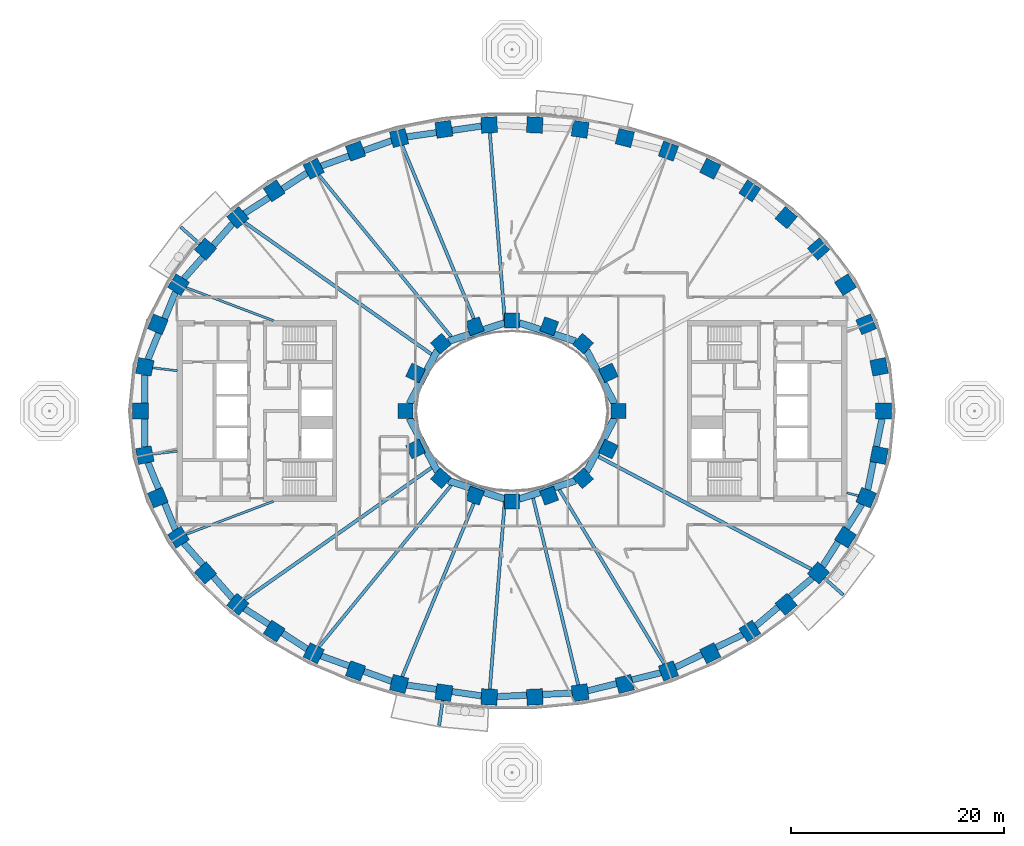
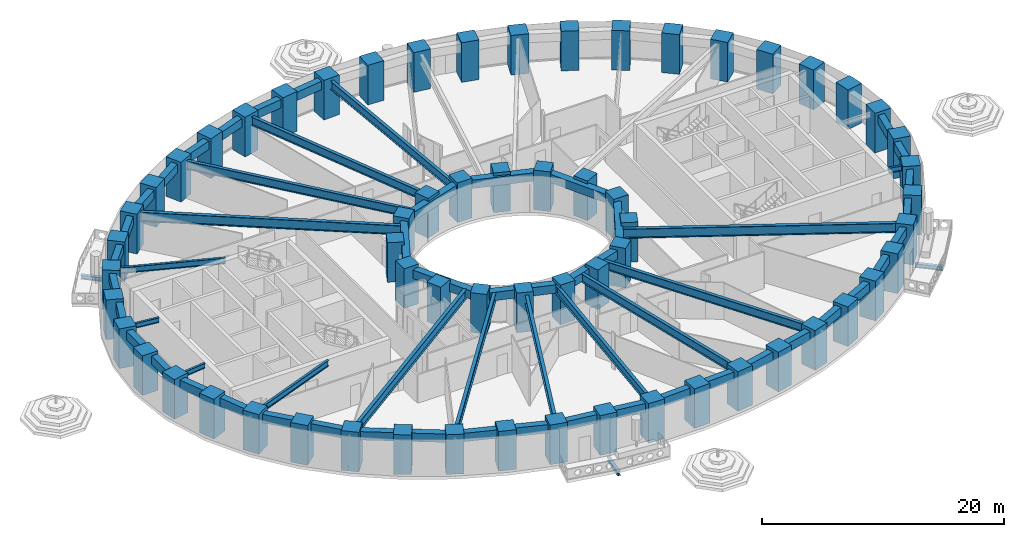
# One storey, part 1 of 20: 62 columns, 44 beams.
"""IFC4 building model written with IfcOpenShell, lengths in metres."""

import ifcopenshell
import ifcopenshell.guid

model = None  # the IFC model being written
_history = None  # IfcOwnerHistory: only IFC2X3 demands one
_inside = {}  # id of a spatial element -> (the spatial element, [elements in it])
_under = {}  # id of a project, library or spatial element -> (it, [spatial elements below it])
_declared = {}  # id of a project -> (the project, [libraries it declares])
_typed = {}  # id of a type object -> (the type object, [elements of that type])
_made_of = {}  # id of a material, layer set ... -> (it, [elements and type objects made of it])


def new_model(schema):
    """Start an empty IFC model of exactly this schema.

    Asked for "IFC4X3", IfcOpenShell would pick the latest addendum, in which some entities
    have other attributes; the version numbers below select the first issue.
    IFC2X3 requires an IfcOwnerHistory on every rooted entity: one is made here for all.
    """
    global model, _history
    if schema == "IFC4X3":
        model = ifcopenshell.file(schema_version=(4, 3, 0, 0))
    else:
        model = ifcopenshell.file(schema=schema)
    _inside.clear()
    _under.clear()
    _declared.clear()
    _typed.clear()
    _made_of.clear()
    _history = None
    if model.schema == "IFC2X3":
        org = make("IfcOrganization", Name="unknown")
        user = make(
            "IfcPersonAndOrganization",
            ThePerson=make("IfcPerson", FamilyName="unknown"),
            TheOrganization=org,
        )
        app = make(
            "IfcApplication",
            ApplicationDeveloper=org,
            Version="unknown",
            ApplicationFullName="unknown",
            ApplicationIdentifier="unknown",
        )
        _history = make(
            "IfcOwnerHistory",
            OwningUser=user,
            OwningApplication=app,
            ChangeAction="ADDED",
            CreationDate=0,
        )
    return model


def make(cls, **values):
    """One entity of the class cls with the attributes given. An attribute that is None is left unset."""
    return model.create_entity(
        cls, **{name: value for name, value in values.items() if value is not None}
    )


def rooted(cls, **values):
    """An entity with a GlobalId (a new one), such as an element, a storey or a relation."""
    return make(cls, GlobalId=ifcopenshell.guid.new(), OwnerHistory=_history, **values)


def si_unit(unit_type, name, prefix=None):
    """IfcSIUnit, for example si_unit("LENGTHUNIT", "METRE", prefix="MILLI")."""
    return make("IfcSIUnit", UnitType=unit_type, Prefix=prefix, Name=name)


def assignment(units):
    """IfcUnitAssignment: the units of a project."""
    return None if units is None else make("IfcUnitAssignment", Units=units)


def point(xyz):
    """IfcCartesianPoint."""
    return None if xyz is None else make("IfcCartesianPoint", Coordinates=xyz)


def direction(xyz):
    """IfcDirection."""
    return None if xyz is None else make("IfcDirection", DirectionRatios=xyz)


def frame(location, z_axis=None, x_axis=None):
    """IfcAxis2Placement3D, a coordinate frame: its origin and axes. An axis left out is left unset."""
    return make(
        "IfcAxis2Placement3D",
        Location=point(location),
        Axis=direction(z_axis),
        RefDirection=direction(x_axis),
    )


def frame_2d(location, x_axis=None):
    """IfcAxis2Placement2D, a coordinate frame in the plane: its origin and x axis."""
    return make(
        "IfcAxis2Placement2D", Location=point(location), RefDirection=direction(x_axis)
    )


def origin():
    """The frame at (0, 0, 0) with its axes left unset."""
    return frame((0.0, 0.0, 0.0))


def origin_2d():
    """The frame at (0, 0) in the plane with its x axis left unset."""
    return frame_2d((0.0, 0.0))


def place(relative_to, where):
    """IfcLocalPlacement: puts the frame where relative to a parent placement (None: the world)."""
    return make(
        "IfcLocalPlacement", PlacementRelTo=relative_to, RelativePlacement=where
    )


def context(
    kind, dimensions, precision=None, world=None, true_north=None, identifier=None
):
    """IfcGeometricRepresentationContext, for example the 3D "Model" context."""
    return make(
        "IfcGeometricRepresentationContext",
        ContextIdentifier=identifier,
        ContextType=kind,
        CoordinateSpaceDimension=dimensions,
        Precision=precision,
        WorldCoordinateSystem=world,
        TrueNorth=true_north,
    )


def subcontext(parent, identifier, kind, view, scale=None):
    """IfcGeometricRepresentationSubContext, for example "Body" below "Model"."""
    return make(
        "IfcGeometricRepresentationSubContext",
        ContextIdentifier=identifier,
        ContextType=kind,
        ParentContext=parent,
        TargetScale=scale,
        TargetView=view,
    )


def project(units=None, contexts=None):
    """IfcProject with its units and contexts."""
    return rooted(
        "IfcProject",
        Name="project",
        RepresentationContexts=contexts,
        UnitsInContext=assignment(units),
    )


def spatial(cls, under=None, at=None, **own):
    """A site, building, storey or space (cls), placed at a placement, below another one or the project."""
    s = rooted(cls, ObjectPlacement=at, **own)
    if under is not None:
        _under.setdefault(under.id(), (under, []))[1].append(s)
    return s


def profile(cls, at=None, kind="AREA", **sizes):
    """A parametric profile (cls). Its sizes go by their IFC names, for example OverallWidth=200.0."""
    return make(cls, ProfileType=kind, Position=at, **sizes)


def rectangle(**sizes):
    """IfcRectangleProfileDef."""
    return profile("IfcRectangleProfileDef", **sizes)


def i_section(**sizes):
    """IfcIShapeProfileDef."""
    return profile("IfcIShapeProfileDef", **sizes)


def extrude(swept, where, along, depth):
    """IfcExtrudedAreaSolid: the profile swept, set in the frame where, extruded along a direction by depth."""
    return make(
        "IfcExtrudedAreaSolid",
        SweptArea=swept,
        Position=where,
        ExtrudedDirection=direction(along),
        Depth=depth,
    )


def shape(context_of_items, identifier, shape_type, items):
    """IfcShapeRepresentation: the items that make up one representation, for example the "Body"."""
    return make(
        "IfcShapeRepresentation",
        ContextOfItems=context_of_items,
        RepresentationIdentifier=identifier,
        RepresentationType=shape_type,
        Items=items,
    )


def material(Name=None, Category=None):
    """IfcMaterial."""
    return make("IfcMaterial", Name=Name, Category=Category)


def material_profile(
    of_material, cross_section, Name=None, Category=None, Priority=None
):
    """IfcMaterialProfile: a cross section and its material."""
    return make(
        "IfcMaterialProfile",
        Name=Name,
        Material=of_material,
        Profile=cross_section,
        Priority=Priority,
        Category=Category,
    )


def profile_set(profiles, Name=None, composite=None):
    """IfcMaterialProfileSet."""
    return make(
        "IfcMaterialProfileSet",
        Name=Name,
        MaterialProfiles=profiles,
        CompositeProfile=composite,
    )


def made_of(thing, what):
    """Note that an element or type object is made of a material, layer set ...; save() writes the relation."""
    if what is not None:
        _made_of.setdefault(what.id(), (what, []))[1].append(thing)
    return thing


def type_object(cls, material=None, **own):
    """A type object (cls), such as IfcWallType, which elements share."""
    return made_of(rooted(cls, **own), material)


def element(
    cls,
    number,
    at=None,
    inside=None,
    cuts=None,
    type_object=None,
    material=None,
    context=None,
    identifier="Body",
    shape_type=None,
    held_by="IfcProductDefinitionShape",
    body=None,
    shapes=None,
    **own,
):
    """One element of the class cls, such as IfcWall. Its Tag is "e" and its number.

    at: its placement. inside: the storey or other place that contains it. cuts: it is an
    opening in that element (IfcRelVoidsElement). A single representation is given by context,
    identifier, shape_type and body (its items); several are given by shapes. held_by: the class
    of the entity that holds the representations. save() writes the other relations.
    """
    e = rooted(cls, Tag="e%d" % number, ObjectPlacement=at, **own)
    if body is not None:
        shapes = [shape(context, identifier, shape_type, body)]
    if shapes is not None:
        e.Representation = make(held_by, Representations=shapes)
    if inside is not None:
        _inside.setdefault(inside.id(), (inside, []))[1].append(e)
    if cuts is not None:
        rooted(
            "IfcRelVoidsElement", RelatingBuildingElement=cuts, RelatedOpeningElement=e
        )
    if type_object is not None:
        _typed.setdefault(type_object.id(), (type_object, []))[1].append(e)
    return made_of(e, material)


def aggregate(whole, parts):
    """IfcRelAggregates: a whole, such as a stair, and the parts it consists of."""
    return rooted("IfcRelAggregates", RelatingObject=whole, RelatedObjects=parts)


def save(model, path):
    """Write the relations noted so far, then the file.

    IfcRelAggregates (storeys below a building ...), IfcRelContainedInSpatialStructure (elements
    in a storey), IfcRelDefinesByType, IfcRelAssociatesMaterial and IfcRelDeclares: one each for
    every whole, place, type object, material and project.
    """
    for whole, parts in _under.values():
        aggregate(whole, parts)
    for where, things in _inside.values():
        rooted(
            "IfcRelContainedInSpatialStructure",
            RelatedElements=things,
            RelatingStructure=where,
        )
    for kind, things in _typed.values():
        rooted("IfcRelDefinesByType", RelatedObjects=things, RelatingType=kind)
    for what, things in _made_of.values():
        rooted("IfcRelAssociatesMaterial", RelatedObjects=things, RelatingMaterial=what)
    for by, libraries in _declared.values():
        rooted("IfcRelDeclares", RelatingContext=by, RelatedDefinitions=libraries)
    model.write(path)


model = new_model("IFC4")

# Units and contexts
model_context = context("Model", 3, precision=1e-05, world=origin(), true_north=direction((0.0, 1.0)))
body_context = subcontext(model_context, "Body", "Model", "MODEL_VIEW")
ifc_project = project(units=[si_unit("LENGTHUNIT", "METRE"), si_unit("AREAUNIT", "SQUARE_METRE"), si_unit("VOLUMEUNIT", "CUBIC_METRE"), si_unit("PLANEANGLEUNIT", "RADIAN"), si_unit("MASSUNIT", "GRAM", prefix="KILO")], contexts=[model_context])

# Site, building, storey
site_placement = place(None, origin())
site = spatial("IfcSite", under=ifc_project, at=site_placement, CompositionType="ELEMENT")
building_placement = place(site_placement, origin())
building = spatial("IfcBuilding", under=site, at=building_placement, Name="Noorbagh Ring Tower", CompositionType="ELEMENT")
storey_placement = place(building_placement, frame((0.0, 0.0, 34.5)))
storey = spatial("IfcBuildingStorey", under=building, at=storey_placement, Name="L06", CompositionType="ELEMENT", Elevation=34.5)

# Columns
ifc_material_1 = material(Name="Concrete C70/85", Category="concrete")
ifc_material_profile_1 = material_profile(ifc_material_1, rectangle(XDim=1.5, YDim=1.5, at=origin_2d()), Name="RC1500x1500")
ifc_profile_set_1 = profile_set([ifc_material_profile_1], Name="Concrete C70/85")
column_type_1 = type_object("IfcColumnType", Name="STR-COL-RC1500x1500-C70-85", PredefinedType="COLUMN", material=ifc_profile_set_1)
for number, where, z_axis, x_axis, name in (
    (1, (34.944580078125, 0.0, 0.0), (0.0, 0.0, 1.0), (0.0, 1.0, 0.0), "L06/col/R1-01"),
    (2, (34.52685546875, 4.150634765625, 0.0), (0.0, 0.0, 1.0), (-0.19723040178, 0.9803571638, 0.0), "L06/col/R1-02"),
    (3, (33.30517578125, 8.1494140625, 0.0), (0.0, 0.0, 1.0), (-0.378989499959, 0.925400971969, 0.0), "L06/col/R1-03"),
    (4, (31.364990234375, 11.87109375, 0.0), (0.0, 0.0, 1.0), (-0.535190403059, 0.844731455833, 0.0), "L06/col/R1-04"),
    (5, (28.81884765625, 15.23046875, 0.0), (0.0, 0.0, 1.0), (-0.662635642662, 0.748941923699, 0.0), "L06/col/R1-05"),
    (6, (25.78271484375, 18.180419921875, 0.0), (0.0, 0.0, 1.0), (-0.763035199656, 0.646356932419, 0.0), "L06/col/R1-06"),
    (7, (22.362060546875, 20.699951171875, 0.0), (0.0, 0.0, 1.0), (-0.840247639643, 0.542202825586, 0.0), "L06/col/R1-07"),
    (8, (18.646240234375, 22.785400390625, 0.0), (0.0, 0.0, 1.0), (-0.898399080868, 0.439180021741, 0.0), "L06/col/R1-08"),
    (9, (14.70947265625, 24.44091796875, 0.0), (0.0, 0.0, 1.0), (-0.941024726094, 0.338337797003, 0.0), "L06/col/R1-09"),
    (10, (10.61328125, 25.673583984375, 0.0), (0.0, 0.0, 1.0), (-0.970829360981, 0.239771457553, 0.0), "L06/col/R1-10"),
    (11, (6.4091796875, 26.49072265625, 0.0), (0.0, 0.0, 1.0), (-0.989713114048, 0.143066249975, 0.0), "L06/col/R1-11"),
    (12, (2.14306640625, 26.89794921875, 0.0), (0.0, 0.0, 1.0), (-0.998868731212, 0.047552684538, 0.0), "L06/col/R1-12"),
    (13, (-2.14306640625, 26.89794921875, 0.0), (0.0, 0.0, 1.0), (-0.998868731212, -0.047552684538, 0.0), "L06/col/R1-13"),
    (14, (-6.4091796875, 26.49072265625, 0.0), (0.0, 0.0, 1.0), (-0.989713114048, -0.143066249975, 0.0), "L06/col/R1-14"),
    (15, (-10.61328125, 25.673583984375, 0.0), (0.0, 0.0, 1.0), (-0.970829360981, -0.239771457553, 0.0), "L06/col/R1-15"),
    (16, (-14.70947265625, 24.44091796875, 0.0), (0.0, 0.0, 1.0), (-0.941024726094, -0.338337797003, 0.0), "L06/col/R1-16"),
    (17, (-18.646240234375, 22.785400390625, 0.0), (0.0, 0.0, 1.0), (-0.898399080868, -0.439180021741, 0.0), "L06/col/R1-17"),
    (18, (-22.362060546875, 20.699951171875, 0.0), (0.0, 0.0, 1.0), (-0.840247639643, -0.542202825586, 0.0), "L06/col/R1-18"),
    (19, (-25.78271484375, 18.180419921875, 0.0), (0.0, 0.0, 1.0), (-0.763035199656, -0.646356932419, 0.0), "L06/col/R1-19"),
    (20, (-28.81884765625, 15.23046875, 0.0), (0.0, 0.0, 1.0), (-0.662635642662, -0.748941923699, 0.0), "L06/col/R1-20"),
    (21, (-31.364990234375, 11.87109375, 0.0), (0.0, 0.0, 1.0), (-0.535190403059, -0.844731455833, 0.0), "L06/col/R1-21"),
    (22, (-33.30517578125, 8.1494140625, 0.0), (0.0, 0.0, 1.0), (-0.378989499959, -0.925400971969, 0.0), "L06/col/R1-22"),
    (23, (-34.52685546875, 4.150634765625, 0.0), (0.0, 0.0, 1.0), (-0.19723040178, -0.9803571638, 0.0), "L06/col/R1-23"),
    (24, (-34.944580078125, 0.0, 0.0), (0.0, 0.0, 1.0), (0.0, -1.0, 0.0), "L06/col/R1-24"),
    (25, (-34.52685546875, -4.150634765625, 0.0), (0.0, 0.0, 1.0), (0.19723040178, -0.9803571638, 0.0), "L06/col/R1-25"),
    (26, (-33.30517578125, -8.1494140625, 0.0), (0.0, 0.0, 1.0), (0.378989499959, -0.925400971969, 0.0), "L06/col/R1-26"),
    (27, (-31.364990234375, -11.87109375, 0.0), (0.0, 0.0, 1.0), (0.535190403059, -0.844731455833, 0.0), "L06/col/R1-27"),
    (28, (-28.81884765625, -15.23046875, 0.0), (0.0, 0.0, 1.0), (0.662635642662, -0.748941923699, 0.0), "L06/col/R1-28"),
    (29, (-25.78271484375, -18.180419921875, 0.0), (0.0, 0.0, 1.0), (0.763035199656, -0.646356932419, 0.0), "L06/col/R1-29"),
    (30, (-22.362060546875, -20.699951171875, 0.0), (0.0, 0.0, 1.0), (0.840247639643, -0.542202825586, 0.0), "L06/col/R1-30"),
    (31, (-18.646240234375, -22.785400390625, 0.0), (0.0, 0.0, 1.0), (0.898399080868, -0.439180021741, 0.0), "L06/col/R1-31"),
    (32, (-14.70947265625, -24.44091796875, 0.0), (0.0, 0.0, 1.0), (0.941024726094, -0.338337797003, 0.0), "L06/col/R1-32"),
    (33, (-10.61328125, -25.673583984375, 0.0), (0.0, 0.0, 1.0), (0.970829360981, -0.239771457553, 0.0), "L06/col/R1-33"),
    (34, (-6.4091796875, -26.49072265625, 0.0), (0.0, 0.0, 1.0), (0.989713114048, -0.143066249975, 0.0), "L06/col/R1-34"),
    (35, (-2.14306640625, -26.89794921875, 0.0), (0.0, 0.0, 1.0), (0.998868731212, -0.047552684538, 0.0), "L06/col/R1-35"),
    (36, (2.14306640625, -26.89794921875, 0.0), (0.0, 0.0, 1.0), (0.998868731212, 0.047552684538, 0.0), "L06/col/R1-36"),
    (37, (6.4091796875, -26.49072265625, 0.0), (0.0, 0.0, 1.0), (0.989713114048, 0.143066249975, 0.0), "L06/col/R1-37"),
    (38, (10.61328125, -25.673583984375, 0.0), (0.0, 0.0, 1.0), (0.970829360981, 0.239771457553, 0.0), "L06/col/R1-38"),
    (39, (14.70947265625, -24.44091796875, 0.0), (0.0, 0.0, 1.0), (0.941024726094, 0.338337797003, 0.0), "L06/col/R1-39"),
    (40, (18.646240234375, -22.785400390625, 0.0), (0.0, 0.0, 1.0), (0.898399080868, 0.439180021741, 0.0), "L06/col/R1-40"),
    (41, (22.362060546875, -20.699951171875, 0.0), (0.0, 0.0, 1.0), (0.840247639643, 0.542202825586, 0.0), "L06/col/R1-41"),
    (42, (25.78271484375, -18.180419921875, 0.0), (0.0, 0.0, 1.0), (0.763035199656, 0.646356932419, 0.0), "L06/col/R1-42"),
    (43, (28.81884765625, -15.23046875, 0.0), (0.0, 0.0, 1.0), (0.662635642662, 0.748941923699, 0.0), "L06/col/R1-43"),
    (44, (31.364990234375, -11.87109375, 0.0), (0.0, 0.0, 1.0), (0.535190403059, 0.844731455833, 0.0), "L06/col/R1-44"),
    (45, (33.30517578125, -8.1494140625, 0.0), (0.0, 0.0, 1.0), (0.378989499959, 0.925400971969, 0.0), "L06/col/R1-45"),
    (46, (34.52685546875, -4.150634765625, 0.0), (0.0, 0.0, 1.0), (0.19723040178, 0.9803571638, 0.0), "L06/col/R1-46"),
):
    element("IfcColumn", number, at=place(storey_placement, frame(where, z_axis=z_axis, x_axis=x_axis)), inside=storey, type_object=column_type_1, Name=name, PredefinedType="COLUMN", context=body_context, shape_type="SweptSolid", body=[
        extrude(rectangle(XDim=1.5, YDim=1.5, at=origin_2d()), origin(), (0.0, 0.0, 1.0), 4.0),
    ])
ifc_material_2 = material(Name="Concrete C70/85", Category="concrete")
ifc_material_profile_2 = material_profile(ifc_material_2, rectangle(XDim=1.39990234375, YDim=1.39990234375, at=origin_2d()), Name="RC1400x1400")
ifc_profile_set_2 = profile_set([ifc_material_profile_2], Name="Concrete C70/85")
column_type_2 = type_object("IfcColumnType", Name="STR-ICOL-RC1400x1400-C70-85", PredefinedType="COLUMN", material=ifc_profile_set_2)
for number, where, z_axis, x_axis, name in (
    (47, (10.00830078125, 0.0, 0.0), (0.0, 0.0, 1.0), (0.0, 1.0, 0.0), "L06/col/IR2-W01"),
    (48, (9.07568359375, 3.58837890625, 0.0), (0.0, 0.0, 1.0), (-0.428666979171, 0.903462573087, 0.0), "L06/col/IR2-W03"),
    (49, (6.68212890625, 6.333740234375, 0.0), (0.0, 0.0, 1.0), (-0.75102249095, 0.660276622399, 0.0), "L06/col/IR2-W05"),
    (50, (3.5009765625, 7.967041015625, 0.0), (0.0, 0.0, 1.0), (-0.939019578916, 0.343863679984, 0.0), "L06/col/IR2-W07"),
    (51, (0.0, 8.5029296875, 0.0), (0.0, 0.0, 1.0), (-1.0, 0.0, 0.0), "L06/col/IR2-W09"),
    (52, (-3.5009765625, 7.967041015625, 0.0), (0.0, 0.0, 1.0), (-0.939019578916, -0.343863679984, 0.0), "L06/col/IR2-W11"),
    (53, (-6.68212890625, 6.333740234375, 0.0), (0.0, 0.0, 1.0), (-0.75102249095, -0.660276622399, 0.0), "L06/col/IR2-W13"),
    (54, (-9.07568359375, 3.58837890625, 0.0), (0.0, 0.0, 1.0), (-0.428666979171, -0.903462573087, 0.0), "L06/col/IR2-W15"),
    (55, (-10.00830078125, 0.0, 0.0), (0.0, 0.0, 1.0), (0.0, -1.0, 0.0), "L06/col/IR2-W17"),
    (56, (-9.07568359375, -3.58837890625, 0.0), (0.0, 0.0, 1.0), (0.428666979171, -0.903462573087, 0.0), "L06/col/IR2-W19"),
    (57, (-6.68212890625, -6.333740234375, 0.0), (0.0, 0.0, 1.0), (0.75102249095, -0.660276622399, 0.0), "L06/col/IR2-W21"),
    (58, (-3.5009765625, -7.967041015625, 0.0), (0.0, 0.0, 1.0), (0.939019578916, -0.343863679984, 0.0), "L06/col/IR2-W23"),
    (59, (0.0, -8.5029296875, 0.0), (0.0, 0.0, 1.0), (1.0, 0.0, 0.0), "L06/col/IR2-W25"),
    (60, (3.5009765625, -7.967041015625, 0.0), (0.0, 0.0, 1.0), (0.939019578916, 0.343863679984, 0.0), "L06/col/IR2-W27"),
    (61, (6.68212890625, -6.333740234375, 0.0), (0.0, 0.0, 1.0), (0.75102249095, 0.660276622399, 0.0), "L06/col/IR2-W29"),
    (62, (9.07568359375, -3.58837890625, 0.0), (0.0, 0.0, 1.0), (0.428666979171, 0.903462573087, 0.0), "L06/col/IR2-W31"),
):
    element("IfcColumn", number, at=place(storey_placement, frame(where, z_axis=z_axis, x_axis=x_axis)), inside=storey, type_object=column_type_2, Name=name, PredefinedType="COLUMN", context=body_context, shape_type="SweptSolid", body=[
        extrude(rectangle(XDim=1.39990234375, YDim=1.39990234375, at=origin_2d()), origin(), (0.0, 0.0, 1.0), 4.0),
    ])

# Beams
ifc_material_3 = material(Name="Steel S355", Category="steel")
ifc_material_profile_3 = material_profile(ifc_material_3, i_section(OverallWidth=0.300048828125, OverallDepth=0.39990234375, WebThickness=0.013427734375, FlangeThickness=0.02392578125, FilletRadius=0.027099609375, at=origin_2d()), Name="HEB400")
ifc_profile_set_3 = profile_set([ifc_material_profile_3], Name="Steel S355")
beam_type_1 = type_object("IfcBeamType", Name="STR-BALCONY-BRACKET-HEB400", PredefinedType="BEAM", material=ifc_profile_set_3)
beam_1_placement = place(storey_placement, frame((-29.36572265625, 15.714111328125, -0.5), z_axis=(-0.749031813993, 0.662534030542, 0.0), x_axis=(-0.662534030542, -0.749031813993, 0.0)))
element("IfcBeam", 63, at=beam_1_placement, inside=storey, type_object=beam_type_1, Name="Balcony bracket beam BN06", PredefinedType="BEAM", context=body_context, shape_type="SweptSolid", body=[
    extrude(i_section(OverallWidth=0.300048828125, OverallDepth=0.39990234375, WebThickness=0.013427734375, FlangeThickness=0.02392578125, FilletRadius=0.027099609375, at=origin_2d()), origin(), (0.0, 0.0, 1.0), 2.37939453125),
])
beam_2_placement = place(storey_placement, frame((-6.513671875, -27.21337890625, -0.5), z_axis=(-0.143062628068, -0.989713637599, 0.0), x_axis=(0.989713637599, -0.143062628068, 0.0)))
element("IfcBeam", 64, at=beam_2_placement, inside=storey, type_object=beam_type_1, Name="Balcony bracket beam BS03", PredefinedType="BEAM", context=body_context, shape_type="SweptSolid", body=[
    extrude(i_section(OverallWidth=0.300048828125, OverallDepth=0.39990234375, WebThickness=0.013427734375, FlangeThickness=0.02392578125, FilletRadius=0.027099609375, at=origin_2d()), origin(), (0.0, 0.0, 1.0), 2.373779296875),
])
beam_3_placement = place(storey_placement, frame((29.36572265625, -15.714111328125, -0.5), z_axis=(0.749031813993, -0.662534030542, 0.0), x_axis=(0.662534030542, 0.749031813993, 0.0)))
element("IfcBeam", 65, at=beam_3_placement, inside=storey, type_object=beam_type_1, Name="Balcony bracket beam BS06", PredefinedType="BEAM", context=body_context, shape_type="SweptSolid", body=[
    extrude(i_section(OverallWidth=0.300048828125, OverallDepth=0.39990234375, WebThickness=0.013427734375, FlangeThickness=0.02392578125, FilletRadius=0.027099609375, at=origin_2d()), origin(), (0.0, 0.0, 1.0), 2.37939453125),
])
ifc_material_4 = material(Name="Steel S355", Category="steel")
ifc_material_profile_4 = material_profile(ifc_material_4, i_section(OverallWidth=0.199951171875, OverallDepth=0.5, WebThickness=0.01025390625, FlangeThickness=0.01611328125, FilletRadius=0.02099609375, at=origin_2d()), Name="IPE500")
ifc_profile_set_4 = profile_set([ifc_material_profile_4], Name="Steel S355")
beam_type_2 = type_object("IfcBeamType", Name="STR-RAD-IPE500", PredefinedType="BEAM", material=ifc_profile_set_4)
for number, where, z_axis, x_axis, name in (
    (66, (-33.799560546875, 4.063232421875, 3.449951171875), (0.992852090588, -0.119351272363, 0.0), (0.119351272363, 0.992852090588, 0.0), "L06/bm/RD23"),
    (67, (-33.799560546875, -4.063232421875, 3.449951171875), (0.992852090588, 0.119351272363, 0.0), (-0.119351272363, 0.992852090588, 0.0), "L06/bm/RD25"),
):
    element("IfcBeam", number, at=place(storey_placement, frame(where, z_axis=z_axis, x_axis=x_axis)), inside=storey, type_object=beam_type_2, Name=name, PredefinedType="BEAM", context=body_context, shape_type="SweptSolid", body=[
        extrude(i_section(OverallWidth=0.199951171875, OverallDepth=0.5, WebThickness=0.01025390625, FlangeThickness=0.01611328125, FilletRadius=0.02099609375, at=origin_2d()), origin(), (0.0, 0.0, 1.0), 2.3359375),
    ])
beam_4_placement = place(storey_placement, frame((32.587890625, -7.973876953125, 3.449951171875), z_axis=(-0.971339703518, 0.237695562369, 0.0), x_axis=(-0.237695562369, -0.971339703518, 0.0)))
element("IfcBeam", 68, at=beam_4_placement, inside=storey, type_object=beam_type_2, Name="L06/bm/RD45", PredefinedType="BEAM", context=body_context, shape_type="SweptSolid", body=[
    extrude(i_section(OverallWidth=0.199951171875, OverallDepth=0.5, WebThickness=0.01025390625, FlangeThickness=0.01611328125, FilletRadius=0.02099609375, at=origin_2d()), origin(), (0.0, 0.0, 1.0), 1.14013671875),
])
ifc_material_5 = material(Name="Steel S355", Category="steel")
ifc_material_profile_5 = material_profile(ifc_material_5, i_section(OverallWidth=0.219970703125, OverallDepth=0.60009765625, WebThickness=0.011962890625, FlangeThickness=0.01904296875, FilletRadius=0.02392578125, at=origin_2d()), Name="IPE600")
ifc_profile_set_5 = profile_set([ifc_material_profile_5], Name="Steel S355")
beam_type_3 = type_object("IfcBeamType", Name="STR-RAD-IPE600", PredefinedType="BEAM", material=ifc_profile_set_5)
for number, where, z_axis, x_axis, name in (
    (69, (-30.66748046875, 11.60693359375, 3.39990234375), (0.93525621499, -0.353971485184, 0.0), (0.353971485184, 0.93525621499, 0.0), "L06/bm/RD21"),
    (70, (-30.66748046875, -11.60693359375, 3.39990234375), (0.93525621499, 0.353971485184, 0.0), (-0.353971485184, 0.93525621499, 0.0), "L06/bm/RD27"),
):
    element("IfcBeam", number, at=place(storey_placement, frame(where, z_axis=z_axis, x_axis=x_axis)), inside=storey, type_object=beam_type_3, Name=name, PredefinedType="BEAM", context=body_context, shape_type="SweptSolid", body=[
        extrude(i_section(OverallWidth=0.219970703125, OverallDepth=0.60009765625, WebThickness=0.011962890625, FlangeThickness=0.01904296875, FilletRadius=0.02392578125, at=origin_2d()), origin(), (0.0, 0.0, 1.0), 8.79736328125),
    ])
ifc_material_6 = material(Name="Steel S355", Category="steel")
ifc_material_profile_6 = material_profile(ifc_material_6, i_section(OverallWidth=0.300048828125, OverallDepth=0.85009765625, WebThickness=0.013916015625, FlangeThickness=0.028076171875, at=origin_2d()), Name="PG850x300x14x28")
ifc_profile_set_6 = profile_set([ifc_material_profile_6], Name="Steel S355")
beam_type_4 = type_object("IfcBeamType", Name="STR-RAD-PG850x300x14x28", PredefinedType="BEAM", material=ifc_profile_set_6)
beam_5_placement = place(storey_placement, frame((-2.085205078125, 26.169921875, 3.27490234375), z_axis=(0.079431823064, -0.996840300893, 0.0), x_axis=(0.996840300893, 0.079431823064, 0.0)))
element("IfcBeam", 71, at=beam_5_placement, inside=storey, type_object=beam_type_4, Name="L06/bm/RD13", PredefinedType="BEAM", context=body_context, shape_type="SweptSolid", body=[
    extrude(i_section(OverallWidth=0.300048828125, OverallDepth=0.85009765625, WebThickness=0.013916015625, FlangeThickness=0.028076171875, at=origin_2d()), origin(), (0.0, 0.0, 1.0), 18.05126953125),
])
beam_6_placement = place(storey_placement, frame((-10.3310546875, 24.9912109375, 3.27490234375), z_axis=(0.382027192106, -0.924151083152, 0.0), x_axis=(0.924151083152, 0.382027192106, 0.0)))
element("IfcBeam", 72, at=beam_6_placement, inside=storey, type_object=beam_type_4, Name="L06/bm/RD15", PredefinedType="BEAM", context=body_context, shape_type="SweptSolid", body=[
    extrude(i_section(OverallWidth=0.300048828125, OverallDepth=0.85009765625, WebThickness=0.013916015625, FlangeThickness=0.028076171875, at=origin_2d()), origin(), (0.0, 0.0, 1.0), 18.624267578125),
])
for number, where, z_axis, x_axis, name in (
    (73, (-18.1708984375, 22.20458984375, 3.27490234375), (0.633309388091, -0.773898713628, 0.0), (0.773898713628, 0.633309388091, 0.0), "L06/bm/RD17"),
    (74, (-18.1708984375, -22.20458984375, 3.27490234375), (0.633309388091, 0.773898713628, 0.0), (-0.773898713628, 0.633309388091, 0.0), "L06/bm/RD31"),
):
    element("IfcBeam", number, at=place(storey_placement, frame(where, z_axis=z_axis, x_axis=x_axis)), inside=storey, type_object=beam_type_4, Name=name, PredefinedType="BEAM", context=body_context, shape_type="SweptSolid", body=[
        extrude(i_section(OverallWidth=0.300048828125, OverallDepth=0.85009765625, WebThickness=0.013916015625, FlangeThickness=0.028076171875, at=origin_2d()), origin(), (0.0, 0.0, 1.0), 19.68212890625),
    ])
beam_7_placement = place(storey_placement, frame((-10.3310546875, -24.9912109375, 3.27490234375), z_axis=(0.382027192106, 0.924151083152, 0.0), x_axis=(-0.924151083152, 0.382027192106, 0.0)))
element("IfcBeam", 75, at=beam_7_placement, inside=storey, type_object=beam_type_4, Name="L06/bm/RD33", PredefinedType="BEAM", context=body_context, shape_type="SweptSolid", body=[
    extrude(i_section(OverallWidth=0.300048828125, OverallDepth=0.85009765625, WebThickness=0.013916015625, FlangeThickness=0.028076171875, at=origin_2d()), origin(), (0.0, 0.0, 1.0), 18.624267578125),
])
beam_8_placement = place(storey_placement, frame((-2.085205078125, -26.169921875, 3.27490234375), z_axis=(0.079431823064, 0.996840300893, 0.0), x_axis=(-0.996840300893, 0.079431823064, 0.0)))
element("IfcBeam", 76, at=beam_8_placement, inside=storey, type_object=beam_type_4, Name="L06/bm/RD35", PredefinedType="BEAM", context=body_context, shape_type="SweptSolid", body=[
    extrude(i_section(OverallWidth=0.300048828125, OverallDepth=0.85009765625, WebThickness=0.013916015625, FlangeThickness=0.028076171875, at=origin_2d()), origin(), (0.0, 0.0, 1.0), 18.05126953125),
])
beam_9_placement = place(storey_placement, frame((6.23681640625, -25.778076171875, 3.27490234375), z_axis=(-0.235164261049, 0.971955642159, 0.0), x_axis=(-0.971955642159, -0.235164261049, 0.0)))
element("IfcBeam", 77, at=beam_9_placement, inside=storey, type_object=beam_type_4, Name="L06/bm/RD37", PredefinedType="BEAM", context=body_context, shape_type="SweptSolid", body=[
    extrude(i_section(OverallWidth=0.300048828125, OverallDepth=0.85009765625, WebThickness=0.013916015625, FlangeThickness=0.028076171875, at=origin_2d()), origin(), (0.0, 0.0, 1.0), 18.104736328125),
])
beam_10_placement = place(storey_placement, frame((14.325439453125, -23.802734375, 3.27490234375), z_axis=(-0.515656740038, 0.856795265191, 0.0), x_axis=(-0.856795265191, -0.515656740038, 0.0)))
element("IfcBeam", 78, at=beam_10_placement, inside=storey, type_object=beam_type_4, Name="L06/bm/RD39", PredefinedType="BEAM", context=body_context, shape_type="SweptSolid", body=[
    extrude(i_section(OverallWidth=0.300048828125, OverallDepth=0.85009765625, WebThickness=0.013916015625, FlangeThickness=0.028076171875, at=origin_2d()), origin(), (0.0, 0.0, 1.0), 19.16552734375),
])
ifc_material_7 = material(Name="Steel S355", Category="steel")
ifc_material_profile_7 = material_profile(ifc_material_7, i_section(OverallWidth=0.320068359375, OverallDepth=0.949951171875, WebThickness=0.01611328125, FlangeThickness=0.030029296875, at=origin_2d()), Name="PG950x320x16x30")
ifc_profile_set_7 = profile_set([ifc_material_profile_7], Name="Steel S355")
beam_type_5 = type_object("IfcBeamType", Name="STR-RAD-PG950x320x16x30", PredefinedType="BEAM", material=ifc_profile_set_7)
for number, where, z_axis, x_axis, name in (
    (79, (-25.165771484375, 17.745361328125, 3.22509765625), (0.817254439709, -0.576277000041, 0.0), (0.576277000041, 0.817254439709, 0.0), "L06/bm/RD19"),
    (80, (-25.165771484375, -17.745361328125, 3.22509765625), (0.817254439709, 0.576277000041, 0.0), (-0.576277000041, 0.817254439709, 0.0), "L06/bm/RD29"),
):
    element("IfcBeam", number, at=place(storey_placement, frame(where, z_axis=z_axis, x_axis=x_axis)), inside=storey, type_object=beam_type_5, Name=name, PredefinedType="BEAM", context=body_context, shape_type="SweptSolid", body=[
        extrude(i_section(OverallWidth=0.320068359375, OverallDepth=0.949951171875, WebThickness=0.01611328125, FlangeThickness=0.030029296875, at=origin_2d()), origin(), (0.0, 0.0, 1.0), 21.548095703125),
    ])
beam_11_placement = place(storey_placement, frame((28.154052734375, -14.879150390625, 3.22509765625), z_axis=(-0.88412365795, 0.467252990844, 0.0), x_axis=(-0.467252990844, -0.88412365795, 0.0)))
element("IfcBeam", 81, at=beam_11_placement, inside=storey, type_object=beam_type_5, Name="L06/bm/RD43", PredefinedType="BEAM", context=body_context, shape_type="SweptSolid", body=[
    extrude(i_section(OverallWidth=0.320068359375, OverallDepth=0.949951171875, WebThickness=0.01611328125, FlangeThickness=0.030029296875, at=origin_2d()), origin(), (0.0, 0.0, 1.0), 22.67822265625),
])
ifc_material_8 = material(Name="Concrete C40/50", Category="concrete")
ifc_material_profile_8 = material_profile(ifc_material_8, rectangle(XDim=0.64990234375, YDim=0.85009765625, at=origin_2d()), Name="RC650x850")
ifc_profile_set_8 = profile_set([ifc_material_profile_8], Name="Concrete C40/50")
beam_type_6 = type_object("IfcBeamType", Name="STR-RB-RC650x850-C40-50", PredefinedType="BEAM", material=ifc_profile_set_8)
beam_12_placement = place(storey_placement, frame((9.650146484375, 0.682373046875, 3.27490234375), z_axis=(-0.464950685644, 0.885336580019, 0.0), x_axis=(-0.885336580019, -0.464950685644, 0.0)))
element("IfcBeam", 82, at=beam_12_placement, inside=storey, type_object=beam_type_6, Name="L06/bm/RG01", PredefinedType="BEAM", context=body_context, shape_type="SweptSolid", body=[
    extrude(rectangle(XDim=0.64990234375, YDim=0.85009765625, at=origin_2d()), origin(), (0.0, 0.0, 1.0), 5.653564453125),
])
for number, where, z_axis, x_axis, name in (
    (83, (5.97607421875, 6.56298828125, 3.27490234375), (-0.951149054478, 0.3087320459, 0.0), (-0.3087320459, -0.951149054478, 0.0), "L06/bm/RG03"),
    (84, (-0.680908203125, 8.28173828125, 3.27490234375), (-0.951149054478, -0.3087320459, 0.0), (0.3087320459, -0.951149054478, 0.0), "L06/bm/RG05"),
):
    element("IfcBeam", number, at=place(storey_placement, frame(where, z_axis=z_axis, x_axis=x_axis)), inside=storey, type_object=beam_type_6, Name=name, PredefinedType="BEAM", context=body_context, shape_type="SweptSolid", body=[
        extrude(rectangle(XDim=0.64990234375, YDim=0.85009765625, at=origin_2d()), origin(), (0.0, 0.0, 1.0), 5.567138671875),
    ])
for number, where, z_axis, x_axis, name in (
    (85, (-7.021484375, 5.687744140625, 3.27490234375), (-0.464950685644, -0.885336580019, 0.0), (0.885336580019, -0.464950685644, 0.0), "L06/bm/RG07"),
    (86, (-9.650146484375, -0.682373046875, 3.27490234375), (0.464950685644, -0.885336580019, 0.0), (0.885336580019, 0.464950685644, 0.0), "L06/bm/RG09"),
):
    element("IfcBeam", number, at=place(storey_placement, frame(where, z_axis=z_axis, x_axis=x_axis)), inside=storey, type_object=beam_type_6, Name=name, PredefinedType="BEAM", context=body_context, shape_type="SweptSolid", body=[
        extrude(rectangle(XDim=0.64990234375, YDim=0.85009765625, at=origin_2d()), origin(), (0.0, 0.0, 1.0), 5.653564453125),
    ])
for number, where, z_axis, x_axis, name in (
    (87, (-5.97607421875, -6.56298828125, 3.27490234375), (0.951149054478, -0.3087320459, 0.0), (0.3087320459, 0.951149054478, 0.0), "L06/bm/RG11"),
    (88, (0.680908203125, -8.28173828125, 3.27490234375), (0.951149054478, 0.3087320459, 0.0), (-0.3087320459, 0.951149054478, 0.0), "L06/bm/RG13"),
):
    element("IfcBeam", number, at=place(storey_placement, frame(where, z_axis=z_axis, x_axis=x_axis)), inside=storey, type_object=beam_type_6, Name=name, PredefinedType="BEAM", context=body_context, shape_type="SweptSolid", body=[
        extrude(rectangle(XDim=0.64990234375, YDim=0.85009765625, at=origin_2d()), origin(), (0.0, 0.0, 1.0), 5.567138671875),
    ])
beam_13_placement = place(storey_placement, frame((7.021484375, -5.687744140625, 3.27490234375), z_axis=(0.464950685644, 0.885336580019, 0.0), x_axis=(-0.885336580019, 0.464950685644, 0.0)))
element("IfcBeam", 89, at=beam_13_placement, inside=storey, type_object=beam_type_6, Name="L06/bm/RG15", PredefinedType="BEAM", context=body_context, shape_type="SweptSolid", body=[
    extrude(rectangle(XDim=0.64990234375, YDim=0.85009765625, at=origin_2d()), origin(), (0.0, 0.0, 1.0), 5.653564453125),
])
ifc_material_9 = material(Name="Concrete C40/50", Category="concrete")
ifc_material_profile_9 = material_profile(ifc_material_9, rectangle(XDim=0.60009765625, YDim=0.85009765625, at=origin_2d()), Name="RC600x850")
ifc_profile_set_9 = profile_set([ifc_material_profile_9], Name="Concrete C40/50")
beam_type_7 = type_object("IfcBeamType", Name="STR-SB-RC600x850-C40-50", PredefinedType="BEAM", material=ifc_profile_set_9)
beam_14_placement = place(storey_placement, frame((-2.869140625, 26.79296875, 3.27490234375), z_axis=(-0.989714712052, -0.14305519476, 0.0), x_axis=(0.14305519476, -0.989714712052, 0.0)))
element("IfcBeam", 90, at=beam_14_placement, inside=storey, type_object=beam_type_7, Name="L06/bm/SP13", PredefinedType="BEAM", context=body_context, shape_type="SweptSolid", body=[
    extrude(rectangle(XDim=0.60009765625, YDim=0.85009765625, at=origin_2d()), origin(), (0.0, 0.0, 1.0), 7.091064453125),
])
beam_15_placement = place(storey_placement, frame((-11.303955078125, 25.42529296875, 3.27490234375), z_axis=(-0.941024719218, -0.338337816127, 0.0), x_axis=(0.338337816127, -0.941024719218, 0.0)))
element("IfcBeam", 91, at=beam_15_placement, inside=storey, type_object=beam_type_7, Name="L06/bm/SP15", PredefinedType="BEAM", context=body_context, shape_type="SweptSolid", body=[
    extrude(rectangle(XDim=0.60009765625, YDim=0.85009765625, at=origin_2d()), origin(), (0.0, 0.0, 1.0), 7.06787109375),
])
beam_16_placement = place(storey_placement, frame((-19.26416015625, 22.38671875, 3.27490234375), z_axis=(-0.840248616013, -0.54220131251, 0.0), x_axis=(0.54220131251, -0.840248616013, 0.0)))
element("IfcBeam", 92, at=beam_16_placement, inside=storey, type_object=beam_type_7, Name="L06/bm/SP17", PredefinedType="BEAM", context=body_context, shape_type="SweptSolid", body=[
    extrude(rectangle(XDim=0.60009765625, YDim=0.85009765625, at=origin_2d()), origin(), (0.0, 0.0, 1.0), 7.021728515625),
])
beam_17_placement = place(storey_placement, frame((-26.271728515625, 17.627685546875, 3.27490234375), z_axis=(-0.662649709282, -0.748929477847, 0.0), x_axis=(0.748929477847, -0.662649709282, 0.0)))
element("IfcBeam", 93, at=beam_17_placement, inside=storey, type_object=beam_type_7, Name="L06/bm/SP19", PredefinedType="BEAM", context=body_context, shape_type="SweptSolid", body=[
    extrude(rectangle(XDim=0.60009765625, YDim=0.85009765625, at=origin_2d()), origin(), (0.0, 0.0, 1.0), 6.94677734375),
])
beam_18_placement = place(storey_placement, frame((-31.646240234375, 11.1845703125, 3.27490234375), z_axis=(-0.378965542347, -0.925410783228, 0.0), x_axis=(0.925410783228, -0.378965542347, 0.0)))
element("IfcBeam", 94, at=beam_18_placement, inside=storey, type_object=beam_type_7, Name="L06/bm/SP21", PredefinedType="BEAM", context=body_context, shape_type="SweptSolid", body=[
    extrude(rectangle(XDim=0.60009765625, YDim=0.85009765625, at=origin_2d()), origin(), (0.0, 0.0, 1.0), 6.857177734375),
])
beam_19_placement = place(storey_placement, frame((-34.52685546875, 3.40576171875, 3.27490234375), z_axis=(0.0, -1.0, 0.0), x_axis=(1.0, 0.0, 0.0)))
element("IfcBeam", 95, at=beam_19_placement, inside=storey, type_object=beam_type_7, Name="L06/bm/SP23", PredefinedType="BEAM", context=body_context, shape_type="SweptSolid", body=[
    extrude(rectangle(XDim=0.60009765625, YDim=0.85009765625, at=origin_2d()), origin(), (0.0, 0.0, 1.0), 6.8115234375),
])
beam_20_placement = place(storey_placement, frame((-34.244873046875, -4.8388671875, 3.27490234375), z_axis=(0.378965542347, -0.925410783228, 0.0), x_axis=(0.925410783228, 0.378965542347, 0.0)))
element("IfcBeam", 96, at=beam_20_placement, inside=storey, type_object=beam_type_7, Name="L06/bm/SP25", PredefinedType="BEAM", context=body_context, shape_type="SweptSolid", body=[
    extrude(rectangle(XDim=0.60009765625, YDim=0.85009765625, at=origin_2d()), origin(), (0.0, 0.0, 1.0), 6.857177734375),
])
beam_21_placement = place(storey_placement, frame((-30.875, -12.425048828125, 3.27490234375), z_axis=(0.662649709282, -0.748929477847, 0.0), x_axis=(0.748929477847, 0.662649709282, 0.0)))
element("IfcBeam", 97, at=beam_21_placement, inside=storey, type_object=beam_type_7, Name="L06/bm/SP27", PredefinedType="BEAM", context=body_context, shape_type="SweptSolid", body=[
    extrude(rectangle(XDim=0.60009765625, YDim=0.85009765625, at=origin_2d()), origin(), (0.0, 0.0, 1.0), 6.94677734375),
])
beam_22_placement = place(storey_placement, frame((-25.1640625, -18.57958984375, 3.27490234375), z_axis=(0.840248616013, -0.54220131251, 0.0), x_axis=(0.54220131251, 0.840248616013, 0.0)))
element("IfcBeam", 98, at=beam_22_placement, inside=storey, type_object=beam_type_7, Name="L06/bm/SP29", PredefinedType="BEAM", context=body_context, shape_type="SweptSolid", body=[
    extrude(rectangle(XDim=0.60009765625, YDim=0.85009765625, at=origin_2d()), origin(), (0.0, 0.0, 1.0), 7.021728515625),
])
beam_23_placement = place(storey_placement, frame((-17.955078125, -23.033935546875, 3.27490234375), z_axis=(0.941024719218, -0.338337816127, 0.0), x_axis=(0.338337816127, 0.941024719218, 0.0)))
element("IfcBeam", 99, at=beam_23_placement, inside=storey, type_object=beam_type_7, Name="L06/bm/SP31", PredefinedType="BEAM", context=body_context, shape_type="SweptSolid", body=[
    extrude(rectangle(XDim=0.60009765625, YDim=0.85009765625, at=origin_2d()), origin(), (0.0, 0.0, 1.0), 7.06787109375),
])
beam_24_placement = place(storey_placement, frame((-9.88720703125, -25.778564453125, 3.27490234375), z_axis=(0.989714712052, -0.14305519476, 0.0), x_axis=(0.14305519476, 0.989714712052, 0.0)))
element("IfcBeam", 100, at=beam_24_placement, inside=storey, type_object=beam_type_7, Name="L06/bm/SP33", PredefinedType="BEAM", context=body_context, shape_type="SweptSolid", body=[
    extrude(rectangle(XDim=0.60009765625, YDim=0.85009765625, at=origin_2d()), origin(), (0.0, 0.0, 1.0), 7.091064453125),
])
beam_25_placement = place(storey_placement, frame((-1.41064453125, -26.863037109375, 3.27490234375), z_axis=(0.998868682603, 0.047553705583, 0.0), x_axis=(-0.047553705583, 0.998868682603, 0.0)))
element("IfcBeam", 101, at=beam_25_placement, inside=storey, type_object=beam_type_7, Name="L06/bm/SP35", PredefinedType="BEAM", context=body_context, shape_type="SweptSolid", body=[
    extrude(rectangle(XDim=0.60009765625, YDim=0.85009765625, at=origin_2d()), origin(), (0.0, 0.0, 1.0), 7.09521484375),
])
beam_26_placement = place(storey_placement, frame((7.12158203125, -26.31494140625, 3.27490234375), z_axis=(0.970830070282, 0.23976858559, 0.0), x_axis=(-0.23976858559, 0.970830070282, 0.0)))
element("IfcBeam", 102, at=beam_26_placement, inside=storey, type_object=beam_type_7, Name="L06/bm/SP37", PredefinedType="BEAM", context=body_context, shape_type="SweptSolid", body=[
    extrude(rectangle(XDim=0.60009765625, YDim=0.85009765625, at=origin_2d()), origin(), (0.0, 0.0, 1.0), 7.081787109375),
])
beam_27_placement = place(storey_placement, frame((15.369384765625, -24.1181640625, 3.27490234375), z_axis=(0.898409265653, 0.439159186843, 0.0), x_axis=(-0.439159186843, 0.898409265653, 0.0)))
element("IfcBeam", 103, at=beam_27_placement, inside=storey, type_object=beam_type_7, Name="L06/bm/SP39", PredefinedType="BEAM", context=body_context, shape_type="SweptSolid", body=[
    extrude(rectangle(XDim=0.60009765625, YDim=0.85009765625, at=origin_2d()), origin(), (0.0, 0.0, 1.0), 7.048095703125),
])
beam_28_placement = place(storey_placement, frame((22.923828125, -20.22412109375, 3.27490234375), z_axis=(0.763024386832, 0.646369696922, 0.0), x_axis=(-0.646369696922, 0.763024386832, 0.0)))
element("IfcBeam", 104, at=beam_28_placement, inside=storey, type_object=beam_type_7, Name="L06/bm/SP41", PredefinedType="BEAM", context=body_context, shape_type="SweptSolid", body=[
    extrude(rectangle(XDim=0.60009765625, YDim=0.85009765625, at=origin_2d()), origin(), (0.0, 0.0, 1.0), 6.988037109375),
])
beam_29_placement = place(storey_placement, frame((29.214599609375, -14.605712890625, 3.27490234375), z_axis=(0.535194304559, 0.844728983975, 0.0), x_axis=(-0.844728983975, 0.535194304559, 0.0)))
element("IfcBeam", 105, at=beam_29_placement, inside=storey, type_object=beam_type_7, Name="L06/bm/SP43", PredefinedType="BEAM", context=body_context, shape_type="SweptSolid", body=[
    extrude(rectangle(XDim=0.60009765625, YDim=0.85009765625, at=origin_2d()), origin(), (0.0, 0.0, 1.0), 6.9013671875),
])
beam_30_placement = place(storey_placement, frame((33.451904296875, -7.420166015625, 3.27490234375), z_axis=(0.197244389947, 0.980354349526, 0.0), x_axis=(-0.980354349526, 0.197244389947, 0.0)))
element("IfcBeam", 106, at=beam_30_placement, inside=storey, type_object=beam_type_7, Name="L06/bm/SP45", PredefinedType="BEAM", context=body_context, shape_type="SweptSolid", body=[
    extrude(rectangle(XDim=0.60009765625, YDim=0.85009765625, at=origin_2d()), origin(), (0.0, 0.0, 1.0), 6.82373046875),
])

save(model, "model.ifc")
